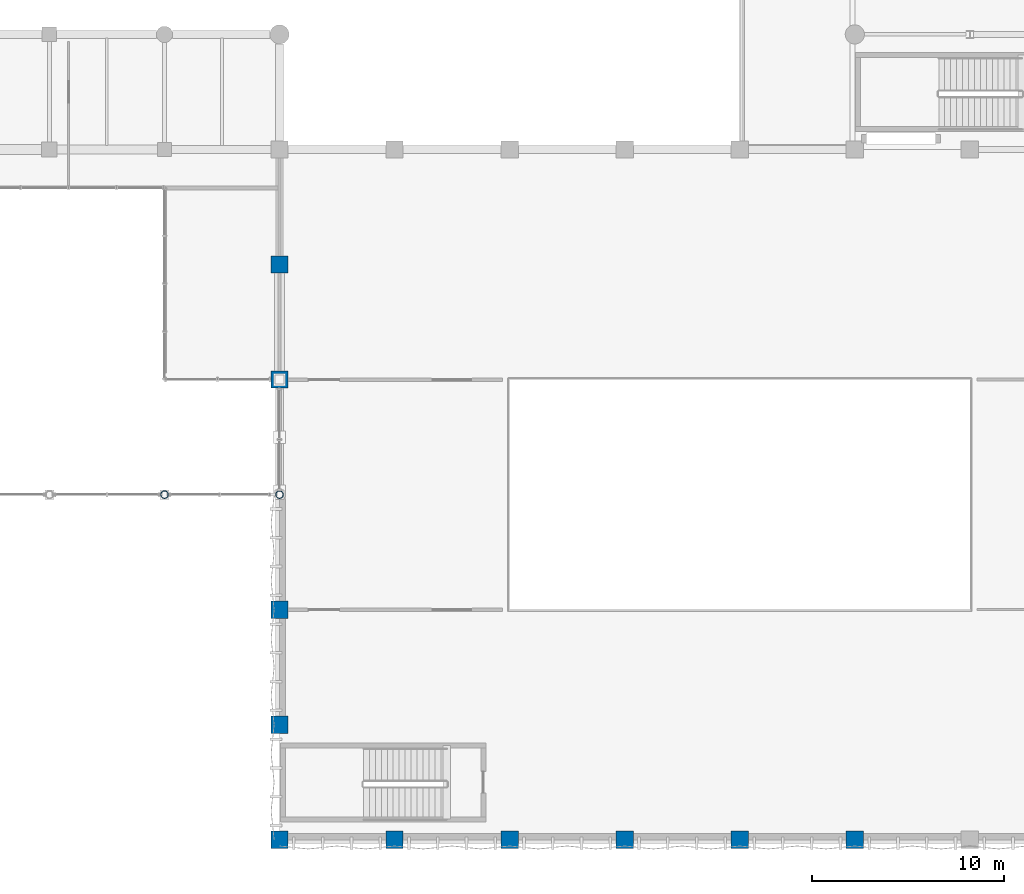
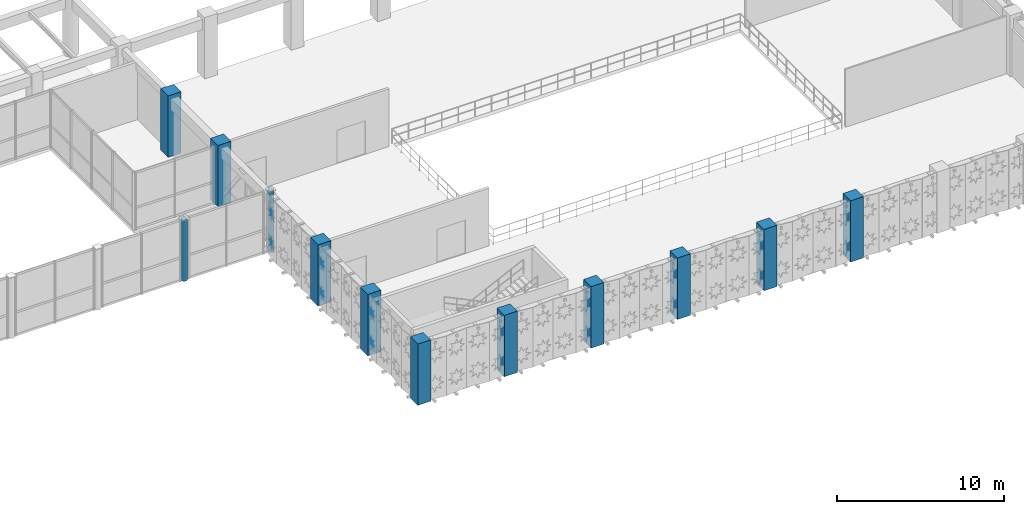
# One storey, part 4 of 133: 12 columns.
"""IFC4 building model written with IfcOpenShell, lengths in metres."""

from ifc_helpers import new_model, si_unit, direction, frame, origin, origin_2d, place, context, subcontext, project, spatial, rectangle, hollow_circle, extrude, material, material_profile, profile_set, type_object, element, save


model = new_model("IFC4")

# Units and contexts
model_context = context("Model", 3, precision=1e-05, world=origin(), true_north=direction((0.0, 1.0)))
body_context = subcontext(model_context, "Body", "Model", "MODEL_VIEW")
ifc_project = project(units=[si_unit("LENGTHUNIT", "METRE"), si_unit("AREAUNIT", "SQUARE_METRE"), si_unit("VOLUMEUNIT", "CUBIC_METRE"), si_unit("PLANEANGLEUNIT", "RADIAN"), si_unit("MASSUNIT", "GRAM", prefix="KILO"), si_unit("THERMODYNAMICTEMPERATUREUNIT", "KELVIN"), si_unit("POWERUNIT", "WATT")], contexts=[model_context])

# Site, building, storey
site_placement = place(None, origin())
site = spatial("IfcSite", under=ifc_project, at=site_placement, CompositionType="ELEMENT")
building_placement = place(site_placement, origin())
building = spatial("IfcBuilding", under=site, at=building_placement, Name="Phaisarnlok Congress Hotel", CompositionType="ELEMENT")
storey_placement = place(building_placement, frame((0.0, 0.0, 6.0)))
storey = spatial("IfcBuildingStorey", under=building, at=storey_placement, Name="L01", CompositionType="ELEMENT", Elevation=6.0)

# Columns
ifc_material_1 = material(Name="Concrete C50/60", Category="concrete")
ifc_material_profile_1 = material_profile(ifc_material_1, rectangle(XDim=0.89990234375, YDim=0.89990234375, at=origin_2d()), Name="RC 900x900")
ifc_profile_set_1 = profile_set([ifc_material_profile_1], Name="Concrete C50/60")
column_type_1 = type_object("IfcColumnType", Name="COL-RC-900", PredefinedType="COLUMN", material=ifc_profile_set_1)
for number, where, z_axis, x_axis, name in (
    (1, (96.0, 6.0, 0.0), (0.0, 0.0, 1.0), (1.0, 0.0, 0.0), "Column C-08 (L01)"),
    (2, (96.0, 12.0, 0.0), (0.0, 0.0, 1.0), (1.0, 0.0, 0.0), "Column C-08 (L01)"),
    (3, (96.0, 24.0, 0.0), (0.0, 0.0, 1.0), (1.0, 0.0, 0.0), "Column C-08 (L01)"),
    (4, (96.0, 30.0, 0.0), (0.0, 0.0, 1.0), (1.0, 0.0, 0.0), "Column C-08 (L01)"),
):
    element("IfcColumn", number, at=place(storey_placement, frame(where, z_axis=z_axis, x_axis=x_axis)), inside=storey, type_object=column_type_1, Name=name, PredefinedType="COLUMN", context=body_context, shape_type="SweptSolid", body=[
        extrude(rectangle(XDim=0.89990234375, YDim=0.89990234375, at=origin_2d()), origin(), (0.0, 0.0, 1.0), 4.5),
    ])
ifc_material_profile_2 = material_profile(ifc_material_1, rectangle(XDim=0.89990234375, YDim=0.89990234375, at=origin_2d()), Name="RC 900x900")
ifc_profile_set_2 = profile_set([ifc_material_profile_2], Name="Concrete C50/60")
column_type_2 = type_object("IfcColumnType", Name="COL-RC-900-EXT", PredefinedType="COLUMN", material=ifc_profile_set_2)
for number, where, z_axis, x_axis, name in (
    (5, (96.0, 0.0, 0.0), (0.0, 0.0, 1.0), (1.0, 0.0, 0.0), "Column C-08E (L01)"),
    (6, (102.0, 0.0, 0.0), (0.0, 0.0, 1.0), (1.0, 0.0, 0.0), "Column C-08E (L01)"),
    (7, (108.0, 0.0, 0.0), (0.0, 0.0, 1.0), (1.0, 0.0, 0.0), "Column C-08E (L01)"),
    (8, (114.0, 0.0, 0.0), (0.0, 0.0, 1.0), (1.0, 0.0, 0.0), "Column C-08E (L01)"),
    (9, (120.0, 0.0, 0.0), (0.0, 0.0, 1.0), (1.0, 0.0, 0.0), "Column C-08E (L01)"),
    (10, (126.0, 0.0, 0.0), (0.0, 0.0, 1.0), (1.0, 0.0, 0.0), "Column C-08E (L01)"),
):
    element("IfcColumn", number, at=place(storey_placement, frame(where, z_axis=z_axis, x_axis=x_axis)), inside=storey, type_object=column_type_2, Name=name, PredefinedType="COLUMN", context=body_context, shape_type="SweptSolid", body=[
        extrude(rectangle(XDim=0.89990234375, YDim=0.89990234375, at=origin_2d()), origin(), (0.0, 0.0, 1.0), 4.5),
    ])
ifc_material_2 = material(Name="Steel S355", Category="steel")
ifc_material_profile_3 = material_profile(ifc_material_2, hollow_circle(Radius=0.203125, WallThickness=0.02001953125, at=origin_2d()), Name="CHS 406.4x20")
ifc_profile_set_3 = profile_set([ifc_material_profile_3], Name="Steel S355")
column_type_3 = type_object("IfcColumnType", Name="COL-STL-CHS406-EXT", PredefinedType="COLUMN", material=ifc_profile_set_3)
for number, where, z_axis, x_axis, name in (
    (11, (90.0, 18.0, 0.0), (0.0, 0.0, 1.0), (1.0, 0.0, 0.0), "Column SC-02E (L01)"),
    (12, (96.0, 18.0, 0.0), (0.0, 0.0, 1.0), (1.0, 0.0, 0.0), "Column SC-02E (L01)"),
):
    element("IfcColumn", number, at=place(storey_placement, frame(where, z_axis=z_axis, x_axis=x_axis)), inside=storey, type_object=column_type_3, Name=name, PredefinedType="COLUMN", context=body_context, shape_type="SweptSolid", body=[
        extrude(hollow_circle(Radius=0.203125, WallThickness=0.02001953125, at=origin_2d()), origin(), (0.0, 0.0, 1.0), 4.5),
    ])

save(model, "model.ifc")
